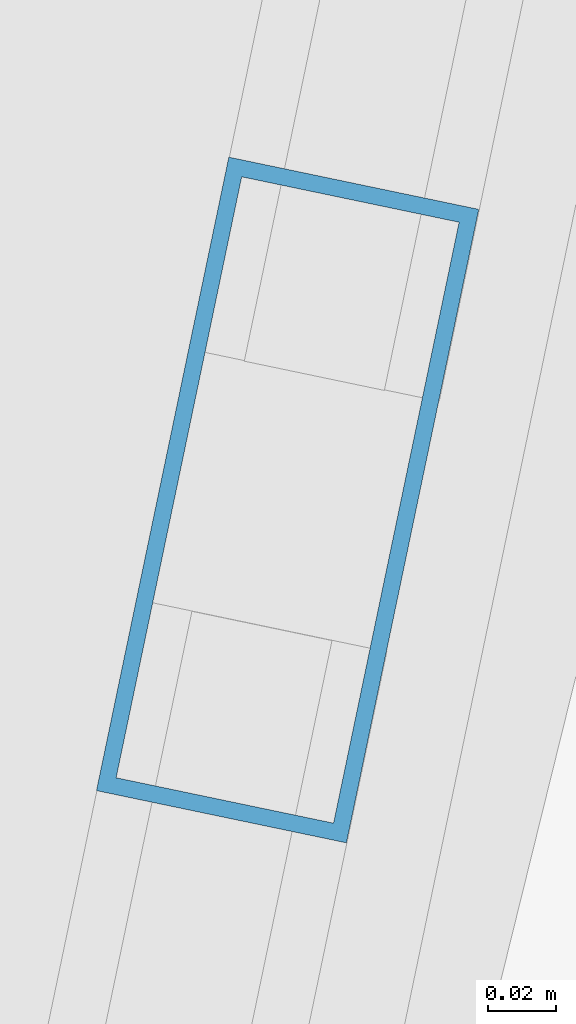
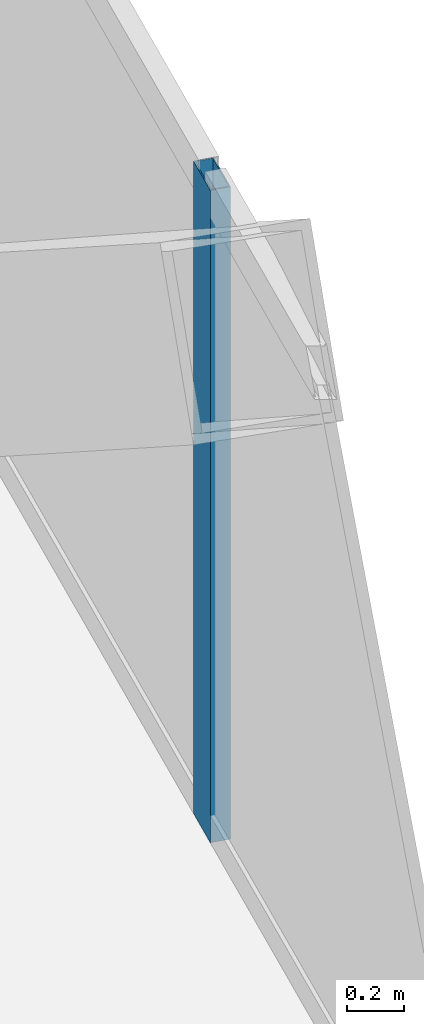
# One storey, part 10 of 24: 1 member, 1 element without a shape of its own.
"""IFC4 building model written with IfcOpenShell, lengths in metres."""

from ifc_helpers import new_model, si_unit, direction, frame, origin, origin_2d, place, context, subcontext, project, spatial, hollow_rectangle, extrude, material, material_profile, profile_set, type_object, element, aggregate, save


model = new_model("IFC4")

# Units and contexts
model_context = context("Model", 3, precision=1e-05, world=origin(), true_north=direction((0.0, 1.0)))
body_context = subcontext(model_context, "Body", "Model", "MODEL_VIEW")
ifc_project = project(units=[si_unit("LENGTHUNIT", "METRE"), si_unit("AREAUNIT", "SQUARE_METRE"), si_unit("VOLUMEUNIT", "CUBIC_METRE"), si_unit("PLANEANGLEUNIT", "RADIAN"), si_unit("MASSUNIT", "GRAM", prefix="KILO")], contexts=[model_context])

# Site, building, storey
site_placement = place(None, origin())
site = spatial("IfcSite", under=ifc_project, at=site_placement, CompositionType="ELEMENT")
building_placement = place(site_placement, origin())
building = spatial("IfcBuilding", under=site, at=building_placement, Name="Haldenkirk Collegiate Tower", CompositionType="ELEMENT")
storey_placement = place(building_placement, frame((0.0, 0.0, 289.949951171875)))
storey = spatial("IfcBuildingStorey", under=building, at=storey_placement, Name="L73", CompositionType="ELEMENT", Elevation=289.949951171875)

# Curtain wall, member
ifc_material = material(Name="Anodised architectural bronze aluminium", Category="aluminium")
curtain_wall_type = type_object("IfcCurtainWallType", Name="CW-SYS2-CONCAVE", PredefinedType="USERDEFINED", material=ifc_material)
curtain_wall_placement = place(storey_placement, origin())
curtain_wall = element("IfcCurtainWall", 1, at=curtain_wall_placement, inside=storey, type_object=curtain_wall_type, Name="L73 South concave recessed bronze-anodised curtain wall", ObjectType="UNITISED CURTAIN WALL", PredefinedType="USERDEFINED")
ifc_material_profile = material_profile(ifc_material, hollow_rectangle(XDim=0.074951171875, YDim=0.18994140625, WallThickness=0.0048828125, at=origin_2d()), Name="CW-MUL-02")
ifc_profile_set = profile_set([ifc_material_profile], Name="Anodised architectural bronze aluminium")
member_type = type_object("IfcMemberType", Name="CW-MUL-02", PredefinedType="MULLION", material=ifc_profile_set)
member_placement = place(storey_placement, frame((59.417236328125, 27.356689453125, 0.0), z_axis=(0.0, 0.0, 1.0), x_axis=(0.978866833362, -0.204498710371, 0.0)))
member = element("IfcMember", 2, at=member_placement, type_object=member_type, Name="CW-02 mullion 2", PredefinedType="MULLION", context=body_context, shape_type="SweptSolid", body=[
    extrude(hollow_rectangle(XDim=0.074951171875, YDim=0.18994140625, WallThickness=0.0048828125, at=origin_2d()), origin(), (0.0, 0.0, 1.0), 2.798095703125),
])
aggregate(curtain_wall, [member])

save(model, "model.ifc")
